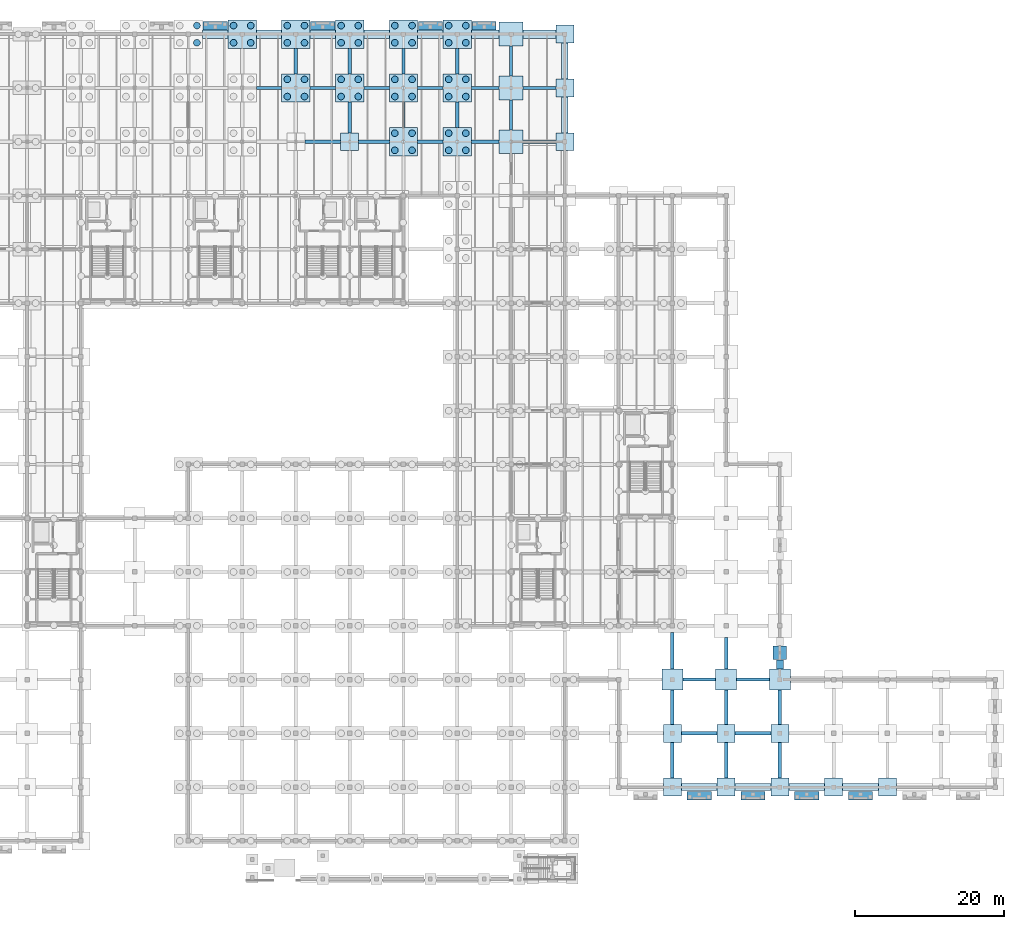
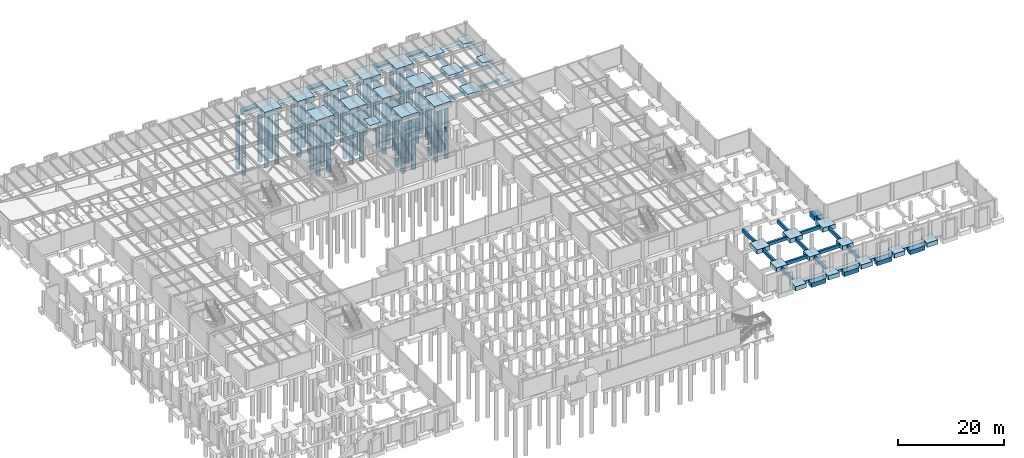
# One storey, part 9 of 46: 84 footings, 46 piles.
"""IFC4 building model written with IfcOpenShell, lengths in metres."""

import ifcopenshell
import ifcopenshell.guid

model = None  # the IFC model being written
_history = None  # IfcOwnerHistory: only IFC2X3 demands one
_inside = {}  # id of a spatial element -> (the spatial element, [elements in it])
_under = {}  # id of a project, library or spatial element -> (it, [spatial elements below it])
_declared = {}  # id of a project -> (the project, [libraries it declares])
_typed = {}  # id of a type object -> (the type object, [elements of that type])
_made_of = {}  # id of a material, layer set ... -> (it, [elements and type objects made of it])


def new_model(schema):
    """Start an empty IFC model of exactly this schema.

    Asked for "IFC4X3", IfcOpenShell would pick the latest addendum, in which some entities
    have other attributes; the version numbers below select the first issue.
    IFC2X3 requires an IfcOwnerHistory on every rooted entity: one is made here for all.
    """
    global model, _history
    if schema == "IFC4X3":
        model = ifcopenshell.file(schema_version=(4, 3, 0, 0))
    else:
        model = ifcopenshell.file(schema=schema)
    _inside.clear()
    _under.clear()
    _declared.clear()
    _typed.clear()
    _made_of.clear()
    _history = None
    if model.schema == "IFC2X3":
        org = make("IfcOrganization", Name="unknown")
        user = make(
            "IfcPersonAndOrganization",
            ThePerson=make("IfcPerson", FamilyName="unknown"),
            TheOrganization=org,
        )
        app = make(
            "IfcApplication",
            ApplicationDeveloper=org,
            Version="unknown",
            ApplicationFullName="unknown",
            ApplicationIdentifier="unknown",
        )
        _history = make(
            "IfcOwnerHistory",
            OwningUser=user,
            OwningApplication=app,
            ChangeAction="ADDED",
            CreationDate=0,
        )
    return model


def make(cls, **values):
    """One entity of the class cls with the attributes given. An attribute that is None is left unset."""
    return model.create_entity(
        cls, **{name: value for name, value in values.items() if value is not None}
    )


def rooted(cls, **values):
    """An entity with a GlobalId (a new one), such as an element, a storey or a relation."""
    return make(cls, GlobalId=ifcopenshell.guid.new(), OwnerHistory=_history, **values)


def si_unit(unit_type, name, prefix=None):
    """IfcSIUnit, for example si_unit("LENGTHUNIT", "METRE", prefix="MILLI")."""
    return make("IfcSIUnit", UnitType=unit_type, Prefix=prefix, Name=name)


def assignment(units):
    """IfcUnitAssignment: the units of a project."""
    return None if units is None else make("IfcUnitAssignment", Units=units)


def point(xyz):
    """IfcCartesianPoint."""
    return None if xyz is None else make("IfcCartesianPoint", Coordinates=xyz)


def direction(xyz):
    """IfcDirection."""
    return None if xyz is None else make("IfcDirection", DirectionRatios=xyz)


def frame(location, z_axis=None, x_axis=None):
    """IfcAxis2Placement3D, a coordinate frame: its origin and axes. An axis left out is left unset."""
    return make(
        "IfcAxis2Placement3D",
        Location=point(location),
        Axis=direction(z_axis),
        RefDirection=direction(x_axis),
    )


def frame_2d(location, x_axis=None):
    """IfcAxis2Placement2D, a coordinate frame in the plane: its origin and x axis."""
    return make(
        "IfcAxis2Placement2D", Location=point(location), RefDirection=direction(x_axis)
    )


def origin():
    """The frame at (0, 0, 0) with its axes left unset."""
    return frame((0.0, 0.0, 0.0))


def origin_2d():
    """The frame at (0, 0) in the plane with its x axis left unset."""
    return frame_2d((0.0, 0.0))


def place(relative_to, where):
    """IfcLocalPlacement: puts the frame where relative to a parent placement (None: the world)."""
    return make(
        "IfcLocalPlacement", PlacementRelTo=relative_to, RelativePlacement=where
    )


def context(
    kind, dimensions, precision=None, world=None, true_north=None, identifier=None
):
    """IfcGeometricRepresentationContext, for example the 3D "Model" context."""
    return make(
        "IfcGeometricRepresentationContext",
        ContextIdentifier=identifier,
        ContextType=kind,
        CoordinateSpaceDimension=dimensions,
        Precision=precision,
        WorldCoordinateSystem=world,
        TrueNorth=true_north,
    )


def subcontext(parent, identifier, kind, view, scale=None):
    """IfcGeometricRepresentationSubContext, for example "Body" below "Model"."""
    return make(
        "IfcGeometricRepresentationSubContext",
        ContextIdentifier=identifier,
        ContextType=kind,
        ParentContext=parent,
        TargetScale=scale,
        TargetView=view,
    )


def project(units=None, contexts=None):
    """IfcProject with its units and contexts."""
    return rooted(
        "IfcProject",
        Name="project",
        RepresentationContexts=contexts,
        UnitsInContext=assignment(units),
    )


def spatial(cls, under=None, at=None, **own):
    """A site, building, storey or space (cls), placed at a placement, below another one or the project."""
    s = rooted(cls, ObjectPlacement=at, **own)
    if under is not None:
        _under.setdefault(under.id(), (under, []))[1].append(s)
    return s


def profile(cls, at=None, kind="AREA", **sizes):
    """A parametric profile (cls). Its sizes go by their IFC names, for example OverallWidth=200.0."""
    return make(cls, ProfileType=kind, Position=at, **sizes)


def rectangle(**sizes):
    """IfcRectangleProfileDef."""
    return profile("IfcRectangleProfileDef", **sizes)


def circle(**sizes):
    """IfcCircleProfileDef."""
    return profile("IfcCircleProfileDef", **sizes)


def extrude(swept, where, along, depth):
    """IfcExtrudedAreaSolid: the profile swept, set in the frame where, extruded along a direction by depth."""
    return make(
        "IfcExtrudedAreaSolid",
        SweptArea=swept,
        Position=where,
        ExtrudedDirection=direction(along),
        Depth=depth,
    )


def shape(context_of_items, identifier, shape_type, items):
    """IfcShapeRepresentation: the items that make up one representation, for example the "Body"."""
    return make(
        "IfcShapeRepresentation",
        ContextOfItems=context_of_items,
        RepresentationIdentifier=identifier,
        RepresentationType=shape_type,
        Items=items,
    )


def material(Name=None, Category=None):
    """IfcMaterial."""
    return make("IfcMaterial", Name=Name, Category=Category)


def material_profile(
    of_material, cross_section, Name=None, Category=None, Priority=None
):
    """IfcMaterialProfile: a cross section and its material."""
    return make(
        "IfcMaterialProfile",
        Name=Name,
        Material=of_material,
        Profile=cross_section,
        Priority=Priority,
        Category=Category,
    )


def profile_set(profiles, Name=None, composite=None):
    """IfcMaterialProfileSet."""
    return make(
        "IfcMaterialProfileSet",
        Name=Name,
        MaterialProfiles=profiles,
        CompositeProfile=composite,
    )


def made_of(thing, what):
    """Note that an element or type object is made of a material, layer set ...; save() writes the relation."""
    if what is not None:
        _made_of.setdefault(what.id(), (what, []))[1].append(thing)
    return thing


def type_object(cls, material=None, **own):
    """A type object (cls), such as IfcWallType, which elements share."""
    return made_of(rooted(cls, **own), material)


def element(
    cls,
    number,
    at=None,
    inside=None,
    cuts=None,
    type_object=None,
    material=None,
    context=None,
    identifier="Body",
    shape_type=None,
    held_by="IfcProductDefinitionShape",
    body=None,
    shapes=None,
    **own,
):
    """One element of the class cls, such as IfcWall. Its Tag is "e" and its number.

    at: its placement. inside: the storey or other place that contains it. cuts: it is an
    opening in that element (IfcRelVoidsElement). A single representation is given by context,
    identifier, shape_type and body (its items); several are given by shapes. held_by: the class
    of the entity that holds the representations. save() writes the other relations.
    """
    e = rooted(cls, Tag="e%d" % number, ObjectPlacement=at, **own)
    if body is not None:
        shapes = [shape(context, identifier, shape_type, body)]
    if shapes is not None:
        e.Representation = make(held_by, Representations=shapes)
    if inside is not None:
        _inside.setdefault(inside.id(), (inside, []))[1].append(e)
    if cuts is not None:
        rooted(
            "IfcRelVoidsElement", RelatingBuildingElement=cuts, RelatedOpeningElement=e
        )
    if type_object is not None:
        _typed.setdefault(type_object.id(), (type_object, []))[1].append(e)
    return made_of(e, material)


def aggregate(whole, parts):
    """IfcRelAggregates: a whole, such as a stair, and the parts it consists of."""
    return rooted("IfcRelAggregates", RelatingObject=whole, RelatedObjects=parts)


def save(model, path):
    """Write the relations noted so far, then the file.

    IfcRelAggregates (storeys below a building ...), IfcRelContainedInSpatialStructure (elements
    in a storey), IfcRelDefinesByType, IfcRelAssociatesMaterial and IfcRelDeclares: one each for
    every whole, place, type object, material and project.
    """
    for whole, parts in _under.values():
        aggregate(whole, parts)
    for where, things in _inside.values():
        rooted(
            "IfcRelContainedInSpatialStructure",
            RelatedElements=things,
            RelatingStructure=where,
        )
    for kind, things in _typed.values():
        rooted("IfcRelDefinesByType", RelatedObjects=things, RelatingType=kind)
    for what, things in _made_of.values():
        rooted("IfcRelAssociatesMaterial", RelatedObjects=things, RelatingMaterial=what)
    for by, libraries in _declared.values():
        rooted("IfcRelDeclares", RelatingContext=by, RelatedDefinitions=libraries)
    model.write(path)


model = new_model("IFC4")

# Units and contexts
model_context = context("Model", 3, precision=1e-05, world=origin(), true_north=direction((0.0, 1.0)))
body_context = subcontext(model_context, "Body", "Model", "MODEL_VIEW")
ifc_project = project(units=[si_unit("LENGTHUNIT", "METRE"), si_unit("AREAUNIT", "SQUARE_METRE"), si_unit("VOLUMEUNIT", "CUBIC_METRE"), si_unit("PLANEANGLEUNIT", "RADIAN"), si_unit("MASSUNIT", "GRAM", prefix="KILO")], contexts=[model_context])

# Site, building, storey
site_placement = place(None, origin())
site = spatial("IfcSite", under=ifc_project, at=site_placement, CompositionType="ELEMENT")
building_placement = place(site_placement, origin())
building = spatial("IfcBuilding", under=site, at=building_placement, Name="Sillqori Civic Hall", CompositionType="ELEMENT")
storey_placement = place(building_placement, frame((0.0, 0.0, -4.199951171875)))
storey = spatial("IfcBuildingStorey", under=building, at=storey_placement, Name="B01", CompositionType="ELEMENT", Elevation=-4.199951171875)

# Footings
ifc_material = material(Name="Concrete C35/45 (H35)", Category="concrete")
footing_type_1 = type_object("IfcFootingType", Name="FB-450X750", PredefinedType="FOOTING_BEAM", material=ifc_material)
footing_1_placement = place(storey_placement, frame((75.60009765625, 108.0, -0.969970703125), z_axis=(0.0, 0.0, 1.0), x_axis=(1.0, 0.0, 0.0)))
element("IfcFooting", 1, at=footing_1_placement, inside=storey, type_object=footing_type_1, Name="Seismic tie beam X 10-15", PredefinedType="FOOTING_BEAM", context=body_context, shape_type="SweptSolid", body=[
    extrude(rectangle(XDim=3.39990234375, YDim=0.449951171875, at=origin_2d()), origin(), (0.0, 0.0, 1.0), 0.75),
])
footing_2_placement = place(storey_placement, frame((82.800048828125, 100.800048828125, -0.969970703125), z_axis=(0.0, 0.0, 1.0), x_axis=(1.0, 0.0, 0.0)))
element("IfcFooting", 2, at=footing_2_placement, inside=storey, type_object=footing_type_1, Name="Seismic tie beam X 11-14", PredefinedType="FOOTING_BEAM", context=body_context, shape_type="SweptSolid", body=[
    extrude(rectangle(XDim=4.800048828125, YDim=0.449951171875, at=origin_2d()), origin(), (0.0, 0.0, 1.0), 0.75),
])
footing_3_placement = place(storey_placement, frame((82.800048828125, 108.0, -0.969970703125), z_axis=(0.0, 0.0, 1.0), x_axis=(1.0, 0.0, 0.0)))
element("IfcFooting", 3, at=footing_3_placement, inside=storey, type_object=footing_type_1, Name="Seismic tie beam X 11-15", PredefinedType="FOOTING_BEAM", context=body_context, shape_type="SweptSolid", body=[
    extrude(rectangle(XDim=3.39990234375, YDim=0.449951171875, at=origin_2d()), origin(), (0.0, 0.0, 1.0), 0.75),
])
footing_4_placement = place(storey_placement, frame((79.199951171875, 111.60009765625, -0.969970703125), z_axis=(0.0, 0.0, 1.0), x_axis=(1.0, 0.0, 0.0)))
element("IfcFooting", 4, at=footing_4_placement, inside=storey, type_object=footing_type_1, Name="Seismic tie beam Y 11-15", PredefinedType="FOOTING_BEAM", context=body_context, shape_type="SweptSolid", body=[
    extrude(rectangle(XDim=0.449951171875, YDim=3.39990234375, at=origin_2d()), origin(), (0.0, 0.0, 1.0), 0.75),
])
footing_5_placement = place(storey_placement, frame((89.64990234375, 100.800048828125, -0.969970703125), z_axis=(0.0, 0.0, 1.0), x_axis=(1.0, 0.0, 0.0)))
element("IfcFooting", 5, at=footing_5_placement, inside=storey, type_object=footing_type_1, Name="Seismic tie beam X 12-14", PredefinedType="FOOTING_BEAM", context=body_context, shape_type="SweptSolid", body=[
    extrude(rectangle(XDim=4.10009765625, YDim=0.449951171875, at=origin_2d()), origin(), (0.0, 0.0, 1.0), 0.75),
])
footing_6_placement = place(storey_placement, frame((86.39990234375, 104.050048828125, -0.969970703125), z_axis=(0.0, 0.0, 1.0), x_axis=(1.0, 0.0, 0.0)))
element("IfcFooting", 6, at=footing_6_placement, inside=storey, type_object=footing_type_1, Name="Seismic tie beam Y 12-14", PredefinedType="FOOTING_BEAM", context=body_context, shape_type="SweptSolid", body=[
    extrude(rectangle(XDim=0.449951171875, YDim=4.10009765625, at=origin_2d()), origin(), (0.0, 0.0, 1.0), 0.75),
])
footing_7_placement = place(storey_placement, frame((90.0, 108.0, -0.969970703125), z_axis=(0.0, 0.0, 1.0), x_axis=(1.0, 0.0, 0.0)))
element("IfcFooting", 7, at=footing_7_placement, inside=storey, type_object=footing_type_1, Name="Seismic tie beam X 12-15", PredefinedType="FOOTING_BEAM", context=body_context, shape_type="SweptSolid", body=[
    extrude(rectangle(XDim=3.39990234375, YDim=0.449951171875, at=origin_2d()), origin(), (0.0, 0.0, 1.0), 0.75),
])
footing_8_placement = place(storey_placement, frame((86.39990234375, 111.60009765625, -0.969970703125), z_axis=(0.0, 0.0, 1.0), x_axis=(1.0, 0.0, 0.0)))
element("IfcFooting", 8, at=footing_8_placement, inside=storey, type_object=footing_type_1, Name="Seismic tie beam Y 12-15", PredefinedType="FOOTING_BEAM", context=body_context, shape_type="SweptSolid", body=[
    extrude(rectangle(XDim=0.449951171875, YDim=3.39990234375, at=origin_2d()), origin(), (0.0, 0.0, 1.0), 0.75),
])
footing_9_placement = place(storey_placement, frame((97.199951171875, 100.800048828125, -0.969970703125), z_axis=(0.0, 0.0, 1.0), x_axis=(1.0, 0.0, 0.0)))
element("IfcFooting", 9, at=footing_9_placement, inside=storey, type_object=footing_type_1, Name="Seismic tie beam X 13-14", PredefinedType="FOOTING_BEAM", context=body_context, shape_type="SweptSolid", body=[
    extrude(rectangle(XDim=3.39990234375, YDim=0.449951171875, at=origin_2d()), origin(), (0.0, 0.0, 1.0), 0.75),
])
footing_10_placement = place(storey_placement, frame((93.60009765625, 104.39990234375, -0.969970703125), z_axis=(0.0, 0.0, 1.0), x_axis=(1.0, 0.0, 0.0)))
element("IfcFooting", 10, at=footing_10_placement, inside=storey, type_object=footing_type_1, Name="Seismic tie beam Y 13-14", PredefinedType="FOOTING_BEAM", context=body_context, shape_type="SweptSolid", body=[
    extrude(rectangle(XDim=0.449951171875, YDim=3.39990234375, at=origin_2d()), origin(), (0.0, 0.0, 1.0), 0.75),
])
footing_11_placement = place(storey_placement, frame((97.199951171875, 108.0, -0.969970703125), z_axis=(0.0, 0.0, 1.0), x_axis=(1.0, 0.0, 0.0)))
element("IfcFooting", 11, at=footing_11_placement, inside=storey, type_object=footing_type_1, Name="Seismic tie beam X 13-15", PredefinedType="FOOTING_BEAM", context=body_context, shape_type="SweptSolid", body=[
    extrude(rectangle(XDim=3.39990234375, YDim=0.449951171875, at=origin_2d()), origin(), (0.0, 0.0, 1.0), 0.75),
])
footing_12_placement = place(storey_placement, frame((93.60009765625, 111.60009765625, -0.969970703125), z_axis=(0.0, 0.0, 1.0), x_axis=(1.0, 0.0, 0.0)))
element("IfcFooting", 12, at=footing_12_placement, inside=storey, type_object=footing_type_1, Name="Seismic tie beam Y 13-15", PredefinedType="FOOTING_BEAM", context=body_context, shape_type="SweptSolid", body=[
    extrude(rectangle(XDim=0.449951171875, YDim=3.39990234375, at=origin_2d()), origin(), (0.0, 0.0, 1.0), 0.75),
])
footing_13_placement = place(storey_placement, frame((104.550048828125, 100.800048828125, -0.969970703125), z_axis=(0.0, 0.0, 1.0), x_axis=(1.0, 0.0, 0.0)))
element("IfcFooting", 13, at=footing_13_placement, inside=storey, type_object=footing_type_1, Name="Seismic tie beam X 14-14", PredefinedType="FOOTING_BEAM", context=body_context, shape_type="SweptSolid", body=[
    extrude(rectangle(XDim=3.699951171875, YDim=0.449951171875, at=origin_2d()), origin(), (0.0, 0.0, 1.0), 0.75),
])
footing_14_placement = place(storey_placement, frame((100.800048828125, 104.39990234375, -0.969970703125), z_axis=(0.0, 0.0, 1.0), x_axis=(1.0, 0.0, 0.0)))
element("IfcFooting", 14, at=footing_14_placement, inside=storey, type_object=footing_type_1, Name="Seismic tie beam Y 14-14", PredefinedType="FOOTING_BEAM", context=body_context, shape_type="SweptSolid", body=[
    extrude(rectangle(XDim=0.449951171875, YDim=3.39990234375, at=origin_2d()), origin(), (0.0, 0.0, 1.0), 0.75),
])
footing_15_placement = place(storey_placement, frame((104.550048828125, 108.0, -0.969970703125), z_axis=(0.0, 0.0, 1.0), x_axis=(1.0, 0.0, 0.0)))
element("IfcFooting", 15, at=footing_15_placement, inside=storey, type_object=footing_type_1, Name="Seismic tie beam X 14-15", PredefinedType="FOOTING_BEAM", context=body_context, shape_type="SweptSolid", body=[
    extrude(rectangle(XDim=3.699951171875, YDim=0.449951171875, at=origin_2d()), origin(), (0.0, 0.0, 1.0), 0.75),
])
footing_16_placement = place(storey_placement, frame((100.800048828125, 111.60009765625, -0.969970703125), z_axis=(0.0, 0.0, 1.0), x_axis=(1.0, 0.0, 0.0)))
element("IfcFooting", 16, at=footing_16_placement, inside=storey, type_object=footing_type_1, Name="Seismic tie beam Y 14-15", PredefinedType="FOOTING_BEAM", context=body_context, shape_type="SweptSolid", body=[
    extrude(rectangle(XDim=0.449951171875, YDim=3.39990234375, at=origin_2d()), origin(), (0.0, 0.0, 1.0), 0.75),
])
footing_17_placement = place(storey_placement, frame((111.800048828125, 100.800048828125, -0.969970703125), z_axis=(0.0, 0.0, 1.0), x_axis=(1.0, 0.0, 0.0)))
element("IfcFooting", 17, at=footing_17_placement, inside=storey, type_object=footing_type_1, Name="Seismic tie beam X 15-14", PredefinedType="FOOTING_BEAM", context=body_context, shape_type="SweptSolid", body=[
    extrude(rectangle(XDim=4.39990234375, YDim=0.449951171875, at=origin_2d()), origin(), (0.0, 0.0, 1.0), 0.75),
])
footing_18_placement = place(storey_placement, frame((108.0, 104.39990234375, -0.969970703125), z_axis=(0.0, 0.0, 1.0), x_axis=(1.0, 0.0, 0.0)))
element("IfcFooting", 18, at=footing_18_placement, inside=storey, type_object=footing_type_1, Name="Seismic tie beam Y 15-14", PredefinedType="FOOTING_BEAM", context=body_context, shape_type="SweptSolid", body=[
    extrude(rectangle(XDim=0.449951171875, YDim=4.0, at=origin_2d()), origin(), (0.0, 0.0, 1.0), 0.75),
])
footing_19_placement = place(storey_placement, frame((111.800048828125, 108.0, -0.969970703125), z_axis=(0.0, 0.0, 1.0), x_axis=(1.0, 0.0, 0.0)))
element("IfcFooting", 19, at=footing_19_placement, inside=storey, type_object=footing_type_1, Name="Seismic tie beam X 15-15", PredefinedType="FOOTING_BEAM", context=body_context, shape_type="SweptSolid", body=[
    extrude(rectangle(XDim=4.39990234375, YDim=0.449951171875, at=origin_2d()), origin(), (0.0, 0.0, 1.0), 0.75),
])
footing_20_placement = place(storey_placement, frame((108.0, 111.60009765625, -0.969970703125), z_axis=(0.0, 0.0, 1.0), x_axis=(1.0, 0.0, 0.0)))
element("IfcFooting", 20, at=footing_20_placement, inside=storey, type_object=footing_type_1, Name="Seismic tie beam Y 15-15", PredefinedType="FOOTING_BEAM", context=body_context, shape_type="SweptSolid", body=[
    extrude(rectangle(XDim=0.449951171875, YDim=4.0, at=origin_2d()), origin(), (0.0, 0.0, 1.0), 0.75),
])
footing_21_placement = place(storey_placement, frame((129.60009765625, 18.0, -0.969970703125), z_axis=(0.0, 0.0, 1.0), x_axis=(1.0, 0.0, 0.0)))
element("IfcFooting", 21, at=footing_21_placement, inside=storey, type_object=footing_type_1, Name="Seismic tie beam Y 18-2", PredefinedType="FOOTING_BEAM", context=body_context, shape_type="SweptSolid", body=[
    extrude(rectangle(XDim=0.449951171875, YDim=4.800048828125, at=origin_2d()), origin(), (0.0, 0.0, 1.0), 0.75),
])
footing_22_placement = place(storey_placement, frame((133.199951171875, 21.60009765625, -0.969970703125), z_axis=(0.0, 0.0, 1.0), x_axis=(1.0, 0.0, 0.0)))
element("IfcFooting", 22, at=footing_22_placement, inside=storey, type_object=footing_type_1, Name="Seismic tie beam X 18-3", PredefinedType="FOOTING_BEAM", context=body_context, shape_type="SweptSolid", body=[
    extrude(rectangle(XDim=4.800048828125, YDim=0.449951171875, at=origin_2d()), origin(), (0.0, 0.0, 1.0), 0.75),
])
footing_23_placement = place(storey_placement, frame((129.60009765625, 25.10009765625, -0.969970703125), z_axis=(0.0, 0.0, 1.0), x_axis=(1.0, 0.0, 0.0)))
element("IfcFooting", 23, at=footing_23_placement, inside=storey, type_object=footing_type_1, Name="Seismic tie beam Y 18-3", PredefinedType="FOOTING_BEAM", context=body_context, shape_type="SweptSolid", body=[
    extrude(rectangle(XDim=0.449951171875, YDim=4.60009765625, at=origin_2d()), origin(), (0.0, 0.0, 1.0), 0.75),
])
footing_24_placement = place(storey_placement, frame((133.199951171875, 28.800048828125, -0.969970703125), z_axis=(0.0, 0.0, 1.0), x_axis=(1.0, 0.0, 0.0)))
element("IfcFooting", 24, at=footing_24_placement, inside=storey, type_object=footing_type_1, Name="Seismic tie beam X 18-4", PredefinedType="FOOTING_BEAM", context=body_context, shape_type="SweptSolid", body=[
    extrude(rectangle(XDim=4.39990234375, YDim=0.449951171875, at=origin_2d()), origin(), (0.0, 0.0, 1.0), 0.75),
])
footing_25_placement = place(storey_placement, frame((129.60009765625, 32.64990234375, -0.969970703125), z_axis=(0.0, 0.0, 1.0), x_axis=(1.0, 0.0, 0.0)))
element("IfcFooting", 25, at=footing_25_placement, inside=storey, type_object=footing_type_1, Name="Seismic tie beam Y 18-4", PredefinedType="FOOTING_BEAM", context=body_context, shape_type="SweptSolid", body=[
    extrude(rectangle(XDim=0.449951171875, YDim=4.89990234375, at=origin_2d()), origin(), (0.0, 0.0, 1.0), 0.75),
])
footing_26_placement = place(storey_placement, frame((136.800048828125, 18.0, -0.969970703125), z_axis=(0.0, 0.0, 1.0), x_axis=(1.0, 0.0, 0.0)))
element("IfcFooting", 26, at=footing_26_placement, inside=storey, type_object=footing_type_1, Name="Seismic tie beam Y 19-2", PredefinedType="FOOTING_BEAM", context=body_context, shape_type="SweptSolid", body=[
    extrude(rectangle(XDim=0.449951171875, YDim=4.800048828125, at=origin_2d()), origin(), (0.0, 0.0, 1.0), 0.75),
])
footing_27_placement = place(storey_placement, frame((140.39990234375, 21.60009765625, -0.969970703125), z_axis=(0.0, 0.0, 1.0), x_axis=(1.0, 0.0, 0.0)))
element("IfcFooting", 27, at=footing_27_placement, inside=storey, type_object=footing_type_1, Name="Seismic tie beam X 19-3", PredefinedType="FOOTING_BEAM", context=body_context, shape_type="SweptSolid", body=[
    extrude(rectangle(XDim=4.800048828125, YDim=0.449951171875, at=origin_2d()), origin(), (0.0, 0.0, 1.0), 0.75),
])
footing_28_placement = place(storey_placement, frame((136.800048828125, 25.10009765625, -0.969970703125), z_axis=(0.0, 0.0, 1.0), x_axis=(1.0, 0.0, 0.0)))
element("IfcFooting", 28, at=footing_28_placement, inside=storey, type_object=footing_type_1, Name="Seismic tie beam Y 19-3", PredefinedType="FOOTING_BEAM", context=body_context, shape_type="SweptSolid", body=[
    extrude(rectangle(XDim=0.449951171875, YDim=4.60009765625, at=origin_2d()), origin(), (0.0, 0.0, 1.0), 0.75),
])
footing_29_placement = place(storey_placement, frame((140.39990234375, 28.800048828125, -0.969970703125), z_axis=(0.0, 0.0, 1.0), x_axis=(1.0, 0.0, 0.0)))
element("IfcFooting", 29, at=footing_29_placement, inside=storey, type_object=footing_type_1, Name="Seismic tie beam X 19-4", PredefinedType="FOOTING_BEAM", context=body_context, shape_type="SweptSolid", body=[
    extrude(rectangle(XDim=4.39990234375, YDim=0.449951171875, at=origin_2d()), origin(), (0.0, 0.0, 1.0), 0.75),
])
footing_30_placement = place(storey_placement, frame((136.800048828125, 32.300048828125, -0.969970703125), z_axis=(0.0, 0.0, 1.0), x_axis=(1.0, 0.0, 0.0)))
element("IfcFooting", 30, at=footing_30_placement, inside=storey, type_object=footing_type_1, Name="Seismic tie beam Y 19-4", PredefinedType="FOOTING_BEAM", context=body_context, shape_type="SweptSolid", body=[
    extrude(rectangle(XDim=0.449951171875, YDim=4.199951171875, at=origin_2d()), origin(), (0.0, 0.0, 1.0), 0.75),
])
footing_31_placement = place(storey_placement, frame((144.0, 18.0, -0.969970703125), z_axis=(0.0, 0.0, 1.0), x_axis=(1.0, 0.0, 0.0)))
element("IfcFooting", 31, at=footing_31_placement, inside=storey, type_object=footing_type_1, Name="Seismic tie beam Y 20-2", PredefinedType="FOOTING_BEAM", context=body_context, shape_type="SweptSolid", body=[
    extrude(rectangle(XDim=0.449951171875, YDim=4.800048828125, at=origin_2d()), origin(), (0.0, 0.0, 1.0), 0.75),
])
footing_32_placement = place(storey_placement, frame((144.0, 25.10009765625, -0.969970703125), z_axis=(0.0, 0.0, 1.0), x_axis=(1.0, 0.0, 0.0)))
element("IfcFooting", 32, at=footing_32_placement, inside=storey, type_object=footing_type_1, Name="Seismic tie beam Y 20-3", PredefinedType="FOOTING_BEAM", context=body_context, shape_type="SweptSolid", body=[
    extrude(rectangle(XDim=0.449951171875, YDim=4.60009765625, at=origin_2d()), origin(), (0.0, 0.0, 1.0), 0.75),
])
footing_type_2 = type_object("IfcFootingType", Name="PC-4P", PredefinedType="PILE_CAP", material=ifc_material)
for number, where, z_axis, x_axis, name in (
    (33, (72.0, 115.199951171875, -1.30029296875), (0.0, 0.0, 1.0), (1.0, 0.0, 0.0), "Pile cap 10-16"),
    (34, (79.199951171875, 108.0, -1.30029296875), (0.0, 0.0, 1.0), (1.0, 0.0, 0.0), "Pile cap 11-15"),
    (35, (79.199951171875, 115.199951171875, -1.30029296875), (0.0, 0.0, 1.0), (1.0, 0.0, 0.0), "Pile cap 11-16"),
    (36, (86.39990234375, 108.0, -1.30029296875), (0.0, 0.0, 1.0), (1.0, 0.0, 0.0), "Pile cap 12-15"),
    (37, (86.39990234375, 115.199951171875, -1.30029296875), (0.0, 0.0, 1.0), (1.0, 0.0, 0.0), "Pile cap 12-16"),
    (38, (93.60009765625, 100.800048828125, -1.30029296875), (0.0, 0.0, 1.0), (1.0, 0.0, 0.0), "Pile cap 13-14"),
    (39, (93.60009765625, 108.0, -1.30029296875), (0.0, 0.0, 1.0), (1.0, 0.0, 0.0), "Pile cap 13-15"),
    (40, (93.60009765625, 115.199951171875, -1.30029296875), (0.0, 0.0, 1.0), (1.0, 0.0, 0.0), "Pile cap 13-16"),
    (41, (100.800048828125, 100.800048828125, -1.30029296875), (0.0, 0.0, 1.0), (1.0, 0.0, 0.0), "Pile cap 14-14"),
    (42, (100.800048828125, 108.0, -1.30029296875), (0.0, 0.0, 1.0), (1.0, 0.0, 0.0), "Pile cap 14-15"),
    (43, (100.800048828125, 115.199951171875, -1.30029296875), (0.0, 0.0, 1.0), (1.0, 0.0, 0.0), "Pile cap 14-16"),
):
    element("IfcFooting", number, at=place(storey_placement, frame(where, z_axis=z_axis, x_axis=x_axis)), inside=storey, type_object=footing_type_2, Name=name, PredefinedType="PILE_CAP", context=body_context, shape_type="SweptSolid", body=[
        extrude(rectangle(XDim=3.800048828125, YDim=3.800048828125, at=origin_2d()), origin(), (0.0, 0.0, 1.0), 1.300048828125),
    ])
footing_type_3 = type_object("IfcFootingType", Name="PF-1800", PredefinedType="PAD_FOOTING", material=ifc_material)
footing_33_placement = place(storey_placement, frame((144.0, 32.39990234375, -1.0), z_axis=(0.0, 0.0, 1.0), x_axis=(1.0, 0.0, 0.0)))
element("IfcFooting", 44, at=footing_33_placement, inside=storey, type_object=footing_type_3, Name="Pilaster pad footing 08", PredefinedType="PAD_FOOTING", context=body_context, shape_type="SweptSolid", body=[
    extrude(rectangle(XDim=1.800048828125, YDim=1.800048828125, at=origin_2d()), origin(), (0.0, 0.0, 1.0), 1.0),
])
footing_type_4 = type_object("IfcFootingType", Name="PF-2400", PredefinedType="PAD_FOOTING", material=ifc_material)
for number, where, z_axis, x_axis, name in (
    (45, (86.39990234375, 100.800048828125, -1.0), (0.0, 0.0, 1.0), (1.0, 0.0, 0.0), "Spread footing 12-14"),
    (46, (115.199951171875, 100.800048828125, -1.0), (0.0, 0.0, 1.0), (1.0, 0.0, 0.0), "Spread footing 16-14"),
    (47, (115.199951171875, 108.0, -1.0), (0.0, 0.0, 1.0), (1.0, 0.0, 0.0), "Spread footing 16-15"),
    (48, (115.199951171875, 115.199951171875, -1.0), (0.0, 0.0, 1.0), (1.0, 0.0, 0.0), "Spread footing 16-16"),
    (49, (129.60009765625, 14.39990234375, -1.0), (0.0, 0.0, 1.0), (1.0, 0.0, 0.0), "Spread footing 18-2"),
    (50, (129.60009765625, 21.60009765625, -1.0), (0.0, 0.0, 1.0), (1.0, 0.0, 0.0), "Spread footing 18-3"),
    (51, (136.800048828125, 14.39990234375, -1.0), (0.0, 0.0, 1.0), (1.0, 0.0, 0.0), "Spread footing 19-2"),
    (52, (136.800048828125, 21.60009765625, -1.0), (0.0, 0.0, 1.0), (1.0, 0.0, 0.0), "Spread footing 19-3"),
    (53, (144.0, 14.39990234375, -1.0), (0.0, 0.0, 1.0), (1.0, 0.0, 0.0), "Spread footing 20-2"),
    (54, (144.0, 21.60009765625, -1.0), (0.0, 0.0, 1.0), (1.0, 0.0, 0.0), "Spread footing 20-3"),
    (55, (151.199951171875, 14.39990234375, -1.0), (0.0, 0.0, 1.0), (1.0, 0.0, 0.0), "Spread footing 21-2"),
    (56, (158.39990234375, 14.39990234375, -1.0), (0.0, 0.0, 1.0), (1.0, 0.0, 0.0), "Spread footing 22-2"),
):
    element("IfcFooting", number, at=place(storey_placement, frame(where, z_axis=z_axis, x_axis=x_axis)), inside=storey, type_object=footing_type_4, Name=name, PredefinedType="PAD_FOOTING", context=body_context, shape_type="SweptSolid", body=[
        extrude(rectangle(XDim=2.39990234375, YDim=2.39990234375, at=origin_2d()), origin(), (0.0, 0.0, 1.0), 1.0),
    ])
footing_type_5 = type_object("IfcFootingType", Name="PF-2800", PredefinedType="PAD_FOOTING", material=ifc_material)
for number, where, z_axis, x_axis, name in (
    (57, (129.60009765625, 28.800048828125, -1.0), (0.0, 0.0, 1.0), (1.0, 0.0, 0.0), "Spread footing 18-4"),
    (58, (136.800048828125, 28.800048828125, -1.0), (0.0, 0.0, 1.0), (1.0, 0.0, 0.0), "Spread footing 19-4"),
    (59, (144.0, 28.800048828125, -1.0), (0.0, 0.0, 1.0), (1.0, 0.0, 0.0), "Spread footing 20-4"),
):
    element("IfcFooting", number, at=place(storey_placement, frame(where, z_axis=z_axis, x_axis=x_axis)), inside=storey, type_object=footing_type_5, Name=name, PredefinedType="PAD_FOOTING", context=body_context, shape_type="SweptSolid", body=[
        extrude(rectangle(XDim=2.800048828125, YDim=2.800048828125, at=origin_2d()), origin(), (0.0, 0.0, 1.0), 1.0),
    ])
footing_type_6 = type_object("IfcFootingType", Name="PF-3200", PredefinedType="PAD_FOOTING", material=ifc_material)
for number, where, z_axis, x_axis, name in (
    (60, (108.0, 100.800048828125, -1.0), (0.0, 0.0, 1.0), (1.0, 0.0, 0.0), "Spread footing 15-14"),
    (61, (108.0, 108.0, -1.0), (0.0, 0.0, 1.0), (1.0, 0.0, 0.0), "Spread footing 15-15"),
    (62, (108.0, 115.199951171875, -1.0), (0.0, 0.0, 1.0), (1.0, 0.0, 0.0), "Spread footing 15-16"),
):
    element("IfcFooting", number, at=place(storey_placement, frame(where, z_axis=z_axis, x_axis=x_axis)), inside=storey, type_object=footing_type_6, Name=name, PredefinedType="PAD_FOOTING", context=body_context, shape_type="SweptSolid", body=[
        extrude(rectangle(XDim=3.199951171875, YDim=3.199951171875, at=origin_2d()), origin(), (0.0, 0.0, 1.0), 1.0),
    ])

# Piles
ifc_material_profile = material_profile(ifc_material, circle(Radius=0.449951171875, at=origin_2d()), Name="BORED PILE 900")
ifc_profile_set = profile_set([ifc_material_profile], Name="Concrete C35/45 (H35)")
pile_type = type_object("IfcPileType", Name="PILE-BORED-900", PredefinedType="BORED", material=ifc_profile_set)
for number, where, z_axis, x_axis, name in (
    (63, (65.949951171875, 114.050048828125, -1.199951171875), (0.0, 0.0, -1.0), (1.0, 0.0, 0.0), "Bored pile FTG-PC-09-16-03"),
    (64, (65.949951171875, 116.35009765625, -1.199951171875), (0.0, 0.0, -1.0), (1.0, 0.0, 0.0), "Bored pile FTG-PC-09-16-04"),
    (65, (70.85009765625, 114.050048828125, -1.199951171875), (0.0, 0.0, -1.0), (1.0, 0.0, 0.0), "Bored pile FTG-PC-10-16-01"),
    (66, (70.85009765625, 116.35009765625, -1.199951171875), (0.0, 0.0, -1.0), (1.0, 0.0, 0.0), "Bored pile FTG-PC-10-16-02"),
    (67, (73.14990234375, 114.050048828125, -1.199951171875), (0.0, 0.0, -1.0), (1.0, 0.0, 0.0), "Bored pile FTG-PC-10-16-03"),
    (68, (73.14990234375, 116.35009765625, -1.199951171875), (0.0, 0.0, -1.0), (1.0, 0.0, 0.0), "Bored pile FTG-PC-10-16-04"),
    (69, (78.050048828125, 106.85009765625, -1.199951171875), (0.0, 0.0, -1.0), (1.0, 0.0, 0.0), "Bored pile FTG-PC-11-15-01"),
    (70, (78.050048828125, 109.14990234375, -1.199951171875), (0.0, 0.0, -1.0), (1.0, 0.0, 0.0), "Bored pile FTG-PC-11-15-02"),
    (71, (80.35009765625, 106.85009765625, -1.199951171875), (0.0, 0.0, -1.0), (1.0, 0.0, 0.0), "Bored pile FTG-PC-11-15-03"),
    (72, (80.35009765625, 109.14990234375, -1.199951171875), (0.0, 0.0, -1.0), (1.0, 0.0, 0.0), "Bored pile FTG-PC-11-15-04"),
    (73, (78.050048828125, 114.050048828125, -1.199951171875), (0.0, 0.0, -1.0), (1.0, 0.0, 0.0), "Bored pile FTG-PC-11-16-01"),
    (74, (78.050048828125, 116.35009765625, -1.199951171875), (0.0, 0.0, -1.0), (1.0, 0.0, 0.0), "Bored pile FTG-PC-11-16-02"),
    (75, (80.35009765625, 114.050048828125, -1.199951171875), (0.0, 0.0, -1.0), (1.0, 0.0, 0.0), "Bored pile FTG-PC-11-16-03"),
    (76, (80.35009765625, 116.35009765625, -1.199951171875), (0.0, 0.0, -1.0), (1.0, 0.0, 0.0), "Bored pile FTG-PC-11-16-04"),
    (77, (85.25, 106.85009765625, -1.199951171875), (0.0, 0.0, -1.0), (1.0, 0.0, 0.0), "Bored pile FTG-PC-12-15-01"),
    (78, (85.25, 109.14990234375, -1.199951171875), (0.0, 0.0, -1.0), (1.0, 0.0, 0.0), "Bored pile FTG-PC-12-15-02"),
    (79, (87.550048828125, 106.85009765625, -1.199951171875), (0.0, 0.0, -1.0), (1.0, 0.0, 0.0), "Bored pile FTG-PC-12-15-03"),
    (80, (87.550048828125, 109.14990234375, -1.199951171875), (0.0, 0.0, -1.0), (1.0, 0.0, 0.0), "Bored pile FTG-PC-12-15-04"),
    (81, (85.25, 114.050048828125, -1.199951171875), (0.0, 0.0, -1.0), (1.0, 0.0, 0.0), "Bored pile FTG-PC-12-16-01"),
    (82, (85.25, 116.35009765625, -1.199951171875), (0.0, 0.0, -1.0), (1.0, 0.0, 0.0), "Bored pile FTG-PC-12-16-02"),
    (83, (87.550048828125, 114.050048828125, -1.199951171875), (0.0, 0.0, -1.0), (1.0, 0.0, 0.0), "Bored pile FTG-PC-12-16-03"),
    (84, (87.550048828125, 116.35009765625, -1.199951171875), (0.0, 0.0, -1.0), (1.0, 0.0, 0.0), "Bored pile FTG-PC-12-16-04"),
    (85, (92.449951171875, 99.64990234375, -1.199951171875), (0.0, 0.0, -1.0), (1.0, 0.0, 0.0), "Bored pile FTG-PC-13-14-01"),
    (86, (92.449951171875, 101.949951171875, -1.199951171875), (0.0, 0.0, -1.0), (1.0, 0.0, 0.0), "Bored pile FTG-PC-13-14-02"),
    (87, (94.75, 99.64990234375, -1.199951171875), (0.0, 0.0, -1.0), (1.0, 0.0, 0.0), "Bored pile FTG-PC-13-14-03"),
    (88, (94.75, 101.949951171875, -1.199951171875), (0.0, 0.0, -1.0), (1.0, 0.0, 0.0), "Bored pile FTG-PC-13-14-04"),
    (89, (92.449951171875, 106.85009765625, -1.199951171875), (0.0, 0.0, -1.0), (1.0, 0.0, 0.0), "Bored pile FTG-PC-13-15-01"),
    (90, (92.449951171875, 109.14990234375, -1.199951171875), (0.0, 0.0, -1.0), (1.0, 0.0, 0.0), "Bored pile FTG-PC-13-15-02"),
    (91, (94.75, 106.85009765625, -1.199951171875), (0.0, 0.0, -1.0), (1.0, 0.0, 0.0), "Bored pile FTG-PC-13-15-03"),
    (92, (94.75, 109.14990234375, -1.199951171875), (0.0, 0.0, -1.0), (1.0, 0.0, 0.0), "Bored pile FTG-PC-13-15-04"),
    (93, (92.449951171875, 114.050048828125, -1.199951171875), (0.0, 0.0, -1.0), (1.0, 0.0, 0.0), "Bored pile FTG-PC-13-16-01"),
    (94, (92.449951171875, 116.35009765625, -1.199951171875), (0.0, 0.0, -1.0), (1.0, 0.0, 0.0), "Bored pile FTG-PC-13-16-02"),
    (95, (94.75, 114.050048828125, -1.199951171875), (0.0, 0.0, -1.0), (1.0, 0.0, 0.0), "Bored pile FTG-PC-13-16-03"),
    (96, (94.75, 116.35009765625, -1.199951171875), (0.0, 0.0, -1.0), (1.0, 0.0, 0.0), "Bored pile FTG-PC-13-16-04"),
    (97, (99.64990234375, 99.64990234375, -1.199951171875), (0.0, 0.0, -1.0), (1.0, 0.0, 0.0), "Bored pile FTG-PC-14-14-01"),
    (98, (99.64990234375, 101.949951171875, -1.199951171875), (0.0, 0.0, -1.0), (1.0, 0.0, 0.0), "Bored pile FTG-PC-14-14-02"),
    (99, (101.949951171875, 99.64990234375, -1.199951171875), (0.0, 0.0, -1.0), (1.0, 0.0, 0.0), "Bored pile FTG-PC-14-14-03"),
    (100, (101.949951171875, 101.949951171875, -1.199951171875), (0.0, 0.0, -1.0), (1.0, 0.0, 0.0), "Bored pile FTG-PC-14-14-04"),
    (101, (99.64990234375, 106.85009765625, -1.199951171875), (0.0, 0.0, -1.0), (1.0, 0.0, 0.0), "Bored pile FTG-PC-14-15-01"),
    (102, (99.64990234375, 109.14990234375, -1.199951171875), (0.0, 0.0, -1.0), (1.0, 0.0, 0.0), "Bored pile FTG-PC-14-15-02"),
    (103, (101.949951171875, 106.85009765625, -1.199951171875), (0.0, 0.0, -1.0), (1.0, 0.0, 0.0), "Bored pile FTG-PC-14-15-03"),
    (104, (101.949951171875, 109.14990234375, -1.199951171875), (0.0, 0.0, -1.0), (1.0, 0.0, 0.0), "Bored pile FTG-PC-14-15-04"),
    (105, (99.64990234375, 114.050048828125, -1.199951171875), (0.0, 0.0, -1.0), (1.0, 0.0, 0.0), "Bored pile FTG-PC-14-16-01"),
    (106, (99.64990234375, 116.35009765625, -1.199951171875), (0.0, 0.0, -1.0), (1.0, 0.0, 0.0), "Bored pile FTG-PC-14-16-02"),
    (107, (101.949951171875, 114.050048828125, -1.199951171875), (0.0, 0.0, -1.0), (1.0, 0.0, 0.0), "Bored pile FTG-PC-14-16-03"),
    (108, (101.949951171875, 116.35009765625, -1.199951171875), (0.0, 0.0, -1.0), (1.0, 0.0, 0.0), "Bored pile FTG-PC-14-16-04"),
):
    element("IfcPile", number, at=place(storey_placement, frame(where, z_axis=z_axis, x_axis=x_axis)), inside=storey, type_object=pile_type, Name=name, PredefinedType="BORED", context=body_context, shape_type="SweptSolid", body=[
        extrude(circle(Radius=0.449951171875, at=origin_2d()), origin(), (0.0, 0.0, 1.0), 12.10009765625),
    ])

# Footings
footing_type_7 = type_object("IfcFootingType", Name="SF-1100X650", PredefinedType="STRIP_FOOTING", material=ifc_material)
for number, where, z_axis, x_axis, name in (
    (109, (68.39990234375, 115.199951171875, -0.8701171875), (0.0, 0.0, 1.0), (1.0, 0.0, 0.0), "Perimeter strip footing N 9-15"),
    (110, (75.60009765625, 115.199951171875, -0.8701171875), (0.0, 0.0, 1.0), (1.0, 0.0, 0.0), "Perimeter strip footing N 10-15"),
    (111, (82.800048828125, 115.199951171875, -0.8701171875), (0.0, 0.0, 1.0), (1.0, 0.0, 0.0), "Perimeter strip footing N 11-15"),
    (112, (90.0, 115.199951171875, -0.8701171875), (0.0, 0.0, 1.0), (1.0, 0.0, 0.0), "Perimeter strip footing N 12-15"),
    (113, (97.199951171875, 115.199951171875, -0.8701171875), (0.0, 0.0, 1.0), (1.0, 0.0, 0.0), "Perimeter strip footing N 13-15"),
):
    element("IfcFooting", number, at=place(storey_placement, frame(where, z_axis=z_axis, x_axis=x_axis)), inside=storey, type_object=footing_type_7, Name=name, PredefinedType="STRIP_FOOTING", context=body_context, shape_type="SweptSolid", body=[
        extrude(rectangle(XDim=3.39990234375, YDim=1.10009765625, at=origin_2d()), origin(), (0.0, 0.0, 1.0), 0.64990234375),
    ])
footing_34_placement = place(storey_placement, frame((104.550048828125, 115.199951171875, -0.8701171875), z_axis=(0.0, 0.0, 1.0), x_axis=(1.0, 0.0, 0.0)))
element("IfcFooting", 114, at=footing_34_placement, inside=storey, type_object=footing_type_7, Name="Perimeter strip footing N 14-15", PredefinedType="STRIP_FOOTING", context=body_context, shape_type="SweptSolid", body=[
    extrude(rectangle(XDim=3.699951171875, YDim=1.10009765625, at=origin_2d()), origin(), (0.0, 0.0, 1.0), 0.64990234375),
])
footing_35_placement = place(storey_placement, frame((111.800048828125, 115.199951171875, -0.8701171875), z_axis=(0.0, 0.0, 1.0), x_axis=(1.0, 0.0, 0.0)))
element("IfcFooting", 115, at=footing_35_placement, inside=storey, type_object=footing_type_7, Name="Perimeter strip footing N 15-15", PredefinedType="STRIP_FOOTING", context=body_context, shape_type="SweptSolid", body=[
    extrude(rectangle(XDim=4.39990234375, YDim=1.10009765625, at=origin_2d()), origin(), (0.0, 0.0, 1.0), 0.64990234375),
])
for number, where, z_axis, x_axis, name in (
    (116, (68.39990234375, 116.35009765625, -1.0), (0.0, 0.0, 1.0), (1.0, 0.0, 0.0), "North Civic Garden Courtyard Portal stoop mat footing"),
    (117, (82.800048828125, 116.35009765625, -1.0), (0.0, 0.0, 1.0), (1.0, 0.0, 0.0), "North Civic Garden Courtyard Exit stoop mat footing"),
    (118, (97.199951171875, 116.35009765625, -1.0), (0.0, 0.0, 1.0), (1.0, 0.0, 0.0), "North Civic Garden Core C8 Exit stoop mat footing"),
    (119, (104.39990234375, 116.35009765625, -1.0), (0.0, 0.0, 1.0), (1.0, 0.0, 0.0), "North Civic Garden East Exit stoop mat footing"),
    (120, (133.199951171875, 13.25, -1.0), (0.0, 0.0, 1.0), (1.0, 0.0, 0.0), "Members Library Pavilion Entrance stoop mat footing"),
    (121, (140.39990234375, 13.25, -1.0), (0.0, 0.0, 1.0), (1.0, 0.0, 0.0), "Members Library Central Portal stoop mat footing"),
    (122, (147.60009765625, 13.25, -1.0), (0.0, 0.0, 1.0), (1.0, 0.0, 0.0), "Library Garden East Promenade Exit stoop mat footing"),
    (123, (154.800048828125, 13.25, -1.0), (0.0, 0.0, 1.0), (1.0, 0.0, 0.0), "Library Cloister South Exit stoop mat footing"),
):
    element("IfcFooting", number, at=place(storey_placement, frame(where, z_axis=z_axis, x_axis=x_axis)), inside=storey, type_object=footing_type_7, Name=name, PredefinedType="STRIP_FOOTING", context=body_context, shape_type="SweptSolid", body=[
        extrude(rectangle(XDim=3.239990234375, YDim=1.1201171875, at=origin_2d()), origin(), (0.0, 0.0, 1.0), 1.0),
    ])
footing_type_8 = type_object("IfcFootingType", Name="SF-900X600", PredefinedType="STRIP_FOOTING", material=ifc_material)
for number, where, z_axis, x_axis, name in (
    (124, (115.199951171875, 104.39990234375, -0.820068359375), (0.0, 0.0, 1.0), (1.0, 0.0, 0.0), "Perimeter strip footing E 15-14"),
    (125, (115.199951171875, 111.60009765625, -0.820068359375), (0.0, 0.0, 1.0), (1.0, 0.0, 0.0), "Perimeter strip footing E 15-15"),
):
    element("IfcFooting", number, at=place(storey_placement, frame(where, z_axis=z_axis, x_axis=x_axis)), inside=storey, type_object=footing_type_8, Name=name, PredefinedType="STRIP_FOOTING", context=body_context, shape_type="SweptSolid", body=[
        extrude(rectangle(XDim=0.89990234375, YDim=4.800048828125, at=origin_2d()), origin(), (0.0, 0.0, 1.0), 0.60009765625),
    ])
for number, where, z_axis, x_axis, name in (
    (126, (133.199951171875, 14.39990234375, -0.60009765625), (0.0, 0.0, 1.0), (1.0, 0.0, 0.0), "Podium plinth strip footing S 18-2"),
    (127, (140.39990234375, 14.39990234375, -0.60009765625), (0.0, 0.0, 1.0), (1.0, 0.0, 0.0), "Podium plinth strip footing S 19-2"),
):
    element("IfcFooting", number, at=place(storey_placement, frame(where, z_axis=z_axis, x_axis=x_axis)), inside=storey, type_object=footing_type_8, Name=name, PredefinedType="STRIP_FOOTING", context=body_context, shape_type="SweptSolid", body=[
        extrude(rectangle(XDim=4.800048828125, YDim=0.89990234375, at=origin_2d()), origin(), (0.0, 0.0, 1.0), 0.60009765625),
    ])
footing_36_placement = place(storey_placement, frame((144.0, 30.820068359375, -0.60009765625), z_axis=(0.0, 0.0, 1.0), x_axis=(1.0, 0.0, 0.0)))
element("IfcFooting", 128, at=footing_36_placement, inside=storey, type_object=footing_type_8, Name="Podium plinth strip footing E 19-4.1", PredefinedType="STRIP_FOOTING", context=body_context, shape_type="SweptSolid", body=[
    extrude(rectangle(XDim=0.89990234375, YDim=1.239990234375, at=origin_2d()), origin(), (0.0, 0.0, 1.0), 0.60009765625),
])
for number, where, z_axis, x_axis, name in (
    (129, (147.60009765625, 14.39990234375, -0.60009765625), (0.0, 0.0, 1.0), (1.0, 0.0, 0.0), "Podium plinth strip footing S 20-2"),
    (130, (154.800048828125, 14.39990234375, -0.60009765625), (0.0, 0.0, 1.0), (1.0, 0.0, 0.0), "Podium plinth strip footing S 21-2"),
):
    element("IfcFooting", number, at=place(storey_placement, frame(where, z_axis=z_axis, x_axis=x_axis)), inside=storey, type_object=footing_type_8, Name=name, PredefinedType="STRIP_FOOTING", context=body_context, shape_type="SweptSolid", body=[
        extrude(rectangle(XDim=4.800048828125, YDim=0.89990234375, at=origin_2d()), origin(), (0.0, 0.0, 1.0), 0.60009765625),
    ])

save(model, "model.ifc")
